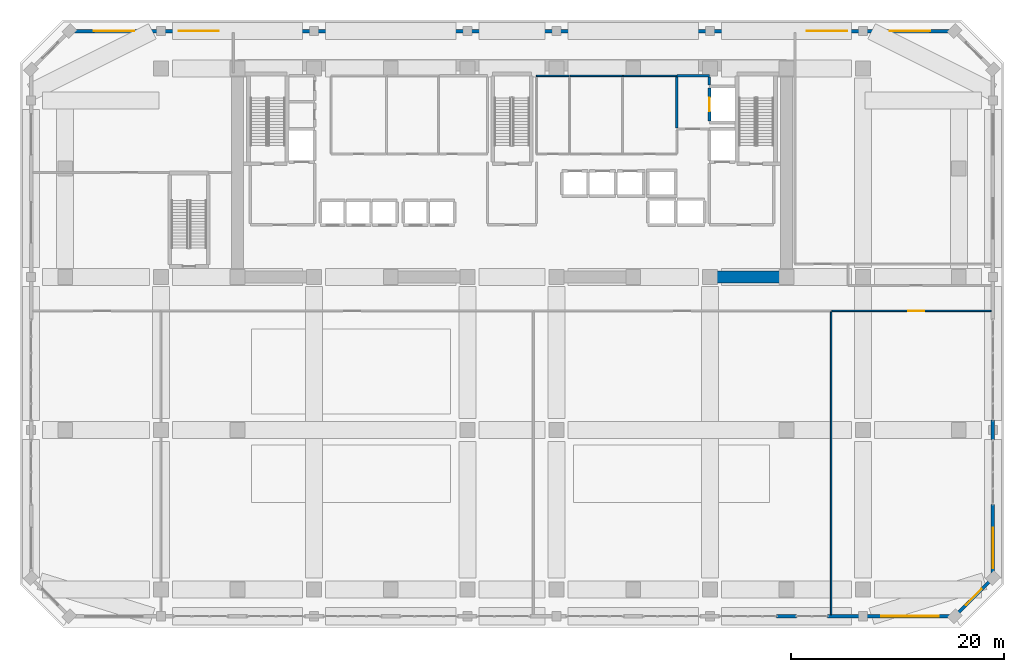
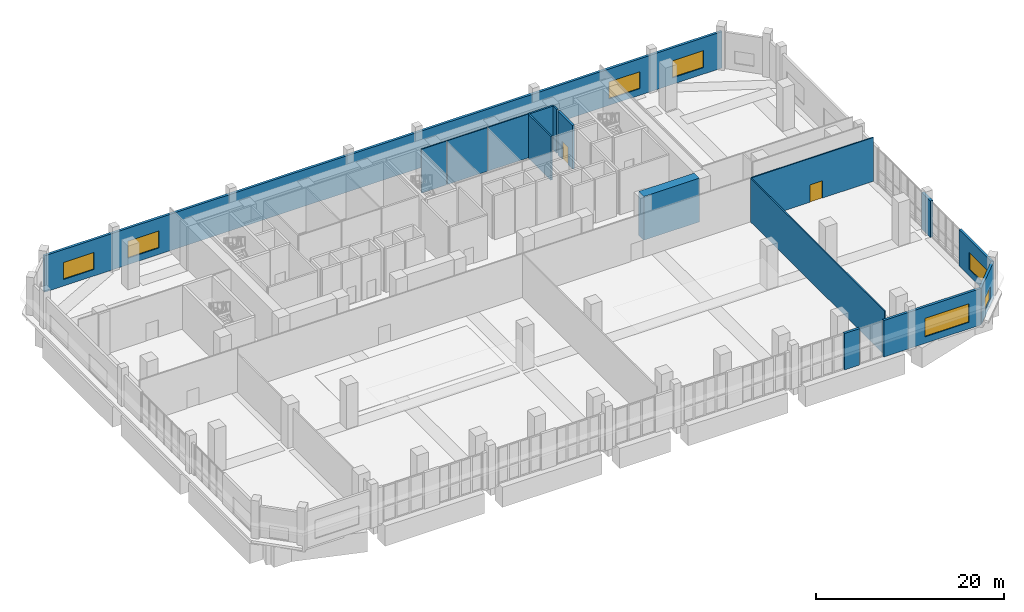
# One storey, part 20 of 25: 16 walls, 7 windows, 2 doors, 9 openings.
"""IFC4 building model written with IfcOpenShell, lengths in metres."""

from ifc_helpers import new_model, si_unit, direction, frame, frame_2d, origin, place, context, subcontext, project, spatial, rectangle, extrude, material, layer, layer_set, type_object, element, fill, save


model = new_model("IFC4")

# Units and contexts
model_context = context("Model", 3, precision=1e-05, world=origin(), true_north=direction((0.0, 1.0)))
body_context = subcontext(model_context, "Body", "Model", "MODEL_VIEW")
ifc_project = project(units=[si_unit("LENGTHUNIT", "METRE"), si_unit("AREAUNIT", "SQUARE_METRE"), si_unit("VOLUMEUNIT", "CUBIC_METRE"), si_unit("PLANEANGLEUNIT", "RADIAN"), si_unit("MASSUNIT", "GRAM", prefix="KILO")], contexts=[model_context])

# Site, building, storey
site_placement = place(None, origin())
site = spatial("IfcSite", under=ifc_project, at=site_placement, CompositionType="ELEMENT")
building_placement = place(site_placement, origin())
building = spatial("IfcBuilding", under=site, at=building_placement, Name="Kaelvorn Grand Hotel", CompositionType="ELEMENT")
storey_placement = place(building_placement, frame((0.0, 0.0, 8.0)))
storey = spatial("IfcBuildingStorey", under=building, at=storey_placement, Name="L01", CompositionType="ELEMENT", Elevation=8.0)

# Walls
ifc_material_1 = material(Name="Concrete C80/95", Category="concrete")
ifc_layer_1 = layer(ifc_material_1, 1.10009765625)
ifc_layer_set_1 = layer_set([ifc_layer_1], Name="Concrete C80/95")
wall_type_1 = type_object("IfcWallType", Name="WL-CORE-1100-C80", PredefinedType="SHEAR", material=ifc_layer_set_1)
wall_1_placement = place(storey_placement, frame((60.39990234375, 29.39990234375, 0.0), z_axis=(0.0, 0.0, 1.0), x_axis=(1.0, 0.0, 0.0)))
element("IfcWall", 1, at=wall_1_placement, inside=storey, type_object=wall_type_1, Name="L01 Rear-Core Coupled Shear Pier S4", PredefinedType="SHEAR", context=body_context, shape_type="SweptSolid", body=[
    extrude(rectangle(XDim=6.84521484375, YDim=1.10009765625, at=frame_2d((3.422607421875, 0.0))), origin(), (0.0, 0.0, 1.0), 5.679931640625),
])
ifc_material_2 = material(Name="Concrete C40/50", Category="concrete")
ifc_layer_2 = layer(ifc_material_2, 0.300048828125)
ifc_layer_set_2 = layer_set([ifc_layer_2], Name="Concrete C40/50")
wall_type_2 = type_object("IfcWallType", Name="WL-EXT-300-C40", PredefinedType="SOLIDWALL", material=ifc_layer_set_2)
wall_2_placement = place(storey_placement, frame((66.875, -2.5, 0.0), z_axis=(0.0, 0.0, 1.0), x_axis=(1.0, 0.0, 0.0)))
element("IfcWall", 2, at=wall_2_placement, inside=storey, type_object=wall_type_2, Name="L01 Exterior Architectural Concrete Wall 01 Pier 9", PredefinedType="SOLIDWALL", context=body_context, shape_type="SweptSolid", body=[
    extrude(rectangle(XDim=1.85009765625, YDim=0.300048828125, at=frame_2d((0.925048828125, 0.0))), origin(), (0.0, 0.0, 1.0), 4.72998046875),
])

# Wall, opening, window
wall_3_placement = place(storey_placement, frame((71.675048828125, -2.5, 0.0), z_axis=(0.0, 0.0, 1.0), x_axis=(1.0, 0.0, 0.0)))
wall_3 = element("IfcWall", 3, at=wall_3_placement, inside=storey, type_object=wall_type_2, Name="L01 Exterior Architectural Concrete Wall 01 Pier 10", PredefinedType="SOLIDWALL", context=body_context, shape_type="SweptSolid", body=[
    extrude(rectangle(XDim=11.925048828125, YDim=0.300048828125, at=frame_2d((5.96240234375, 0.0))), origin(), (0.0, 0.0, 1.0), 4.72998046875),
])
opening_1_placement = place(wall_3_placement, frame((5.050048828125, 0.0, 0.85009765625)))
opening_1 = element("IfcOpeningElement", 4, at=opening_1_placement, cuts=wall_3, Name="Opening W8", PredefinedType="OPENING", context=body_context, shape_type="SweptSolid", body=[
    extrude(rectangle(XDim=5.39990234375, YDim=2.39990234375, at=frame_2d((2.699951171875, 1.199951171875))), frame((0.0, 0.16015625, 0.0), z_axis=(0.0, -1.0, 0.0), x_axis=(1.0, 0.0, 0.0)), (0.0, 0.0, 1.0), 0.320068359375),
])
ifc_material_3 = material(Name="Laminated Low-E Glass", Category="glass")
window_type_1 = type_object("IfcWindowType", Name="WIN-POD-5400x2400", PartitioningType="SINGLE_PANEL", PredefinedType="WINDOW", material=ifc_material_3)
window_1_placement = place(opening_1_placement, origin())
window_1 = element("IfcWindow", 5, at=window_1_placement, inside=storey, type_object=window_type_1, Name="L01 Podium South Ribbon Window 1", OverallHeight=2.39990234375, OverallWidth=5.39990234375, PartitioningType="SINGLE_PANEL", PredefinedType="WINDOW", context=body_context, shape_type="SweptSolid", body=[
    extrude(rectangle(XDim=5.39990234375, YDim=2.39990234375, at=frame_2d((2.699951171875, 1.199951171875))), frame((0.0, 0.030029296875, 0.0), z_axis=(0.0, -1.0, 0.0), x_axis=(1.0, 0.0, 0.0)), (0.0, 0.0, 1.0), 0.06005859375),
])
fill(opening_1, window_1)

wall_4_placement = place(storey_placement, frame((83.60009765625, -2.5, 0.0), z_axis=(0.0, 0.0, 1.0), x_axis=(0.707082803744, 0.707130757816, 0.0)))
wall_4 = element("IfcWall", 6, at=wall_4_placement, inside=storey, type_object=wall_type_2, Name="L01 Exterior Architectural Concrete Wall 02", PredefinedType="SOLIDWALL", context=body_context, shape_type="SweptSolid", body=[
    extrude(rectangle(XDim=5.091064453125, YDim=0.300048828125, at=frame_2d((2.54541015625, 0.0))), origin(), (0.0, 0.0, 1.0), 4.72998046875),
])
opening_2_placement = place(wall_4_placement, frame((1.49560546875, 0.0, 0.85009765625)))
opening_2 = element("IfcOpeningElement", 7, at=opening_2_placement, cuts=wall_4, Name="Opening W7", PredefinedType="OPENING", context=body_context, shape_type="SweptSolid", body=[
    extrude(rectangle(XDim=2.10009765625, YDim=1.60009765625, at=frame_2d((1.050048828125, 0.800048828125))), frame((0.0, 0.16015625, 0.0), z_axis=(0.0, -1.0, 0.0), x_axis=(1.0, 0.0, 0.0)), (0.0, 0.0, 1.0), 0.320068359375),
])
window_type_2 = type_object("IfcWindowType", Name="WIN-CHM-2100x1600", PartitioningType="SINGLE_PANEL", PredefinedType="WINDOW", material=ifc_material_3)
window_2_placement = place(opening_2_placement, origin())
window_2 = element("IfcWindow", 8, at=window_2_placement, inside=storey, type_object=window_type_2, Name="L01 Chamfered 45-Degree Corner Window SE", OverallHeight=1.60009765625, OverallWidth=2.10009765625, PartitioningType="SINGLE_PANEL", PredefinedType="WINDOW", context=body_context, shape_type="SweptSolid", body=[
    extrude(rectangle(XDim=2.10009765625, YDim=1.60009765625, at=frame_2d((1.050048828125, 0.800048828125))), frame((0.0, 0.030029296875, 0.0), z_axis=(0.0, -1.0, 0.0), x_axis=(1.0, 0.0, 0.0)), (0.0, 0.0, 1.0), 0.06005859375),
])
fill(opening_2, window_2)

wall_5_placement = place(storey_placement, frame((87.199951171875, 1.10009765625, 0.0), z_axis=(0.0, 0.0, 1.0), x_axis=(0.0, 1.0, 0.0)))
wall_5 = element("IfcWall", 9, at=wall_5_placement, inside=storey, type_object=wall_type_2, Name="L01 Exterior Architectural Concrete Wall 03 Pier 1", PredefinedType="SOLIDWALL", context=body_context, shape_type="SweptSolid", body=[
    extrude(rectangle(XDim=6.90478515625, YDim=0.300048828125, at=frame_2d((3.452392578125, 0.0))), origin(), (0.0, 0.0, 1.0), 4.72998046875),
])
opening_3_placement = place(wall_5_placement, frame((0.925048828125, 0.0, 0.85009765625)))
opening_3 = element("IfcOpeningElement", 10, at=opening_3_placement, cuts=wall_5, Name="Opening W9", PredefinedType="OPENING", context=body_context, shape_type="SweptSolid", body=[
    extrude(rectangle(XDim=3.800048828125, YDim=2.199951171875, at=frame_2d((1.89990234375, 1.10009765625))), frame((0.0, 0.16015625, 0.0), z_axis=(0.0, -1.0, 0.0), x_axis=(1.0, 0.0, 0.0)), (0.0, 0.0, 1.0), 0.320068359375),
])
window_type_3 = type_object("IfcWindowType", Name="WIN-POD-3800x2200", PartitioningType="SINGLE_PANEL", PredefinedType="WINDOW", material=ifc_material_3)
window_3_placement = place(opening_3_placement, origin())
window_3 = element("IfcWindow", 11, at=window_3_placement, inside=storey, type_object=window_type_3, Name="L01 Podium E Ribbon Window 1", OverallHeight=2.199951171875, OverallWidth=3.800048828125, PartitioningType="SINGLE_PANEL", PredefinedType="WINDOW", context=body_context, shape_type="SweptSolid", body=[
    extrude(rectangle(XDim=3.800048828125, YDim=2.199951171875, at=frame_2d((1.89990234375, 1.10009765625))), frame((0.0, 0.030029296875, 0.0), z_axis=(0.0, -1.0, 0.0), x_axis=(1.0, 0.0, 0.0)), (0.0, 0.0, 1.0), 0.06005859375),
])
fill(opening_3, window_3)

# Wall
wall_6_placement = place(storey_placement, frame((87.199951171875, 14.074951171875, 0.0), z_axis=(0.0, 0.0, 1.0), x_axis=(0.0, 1.0, 0.0)))
element("IfcWall", 12, at=wall_6_placement, inside=storey, type_object=wall_type_2, Name="L01 Exterior Architectural Concrete Wall 03 Pier 2", PredefinedType="SOLIDWALL", context=body_context, shape_type="SweptSolid", body=[
    extrude(rectangle(XDim=1.85009765625, YDim=0.300048828125, at=frame_2d((0.925048828125, 0.0))), origin(), (0.0, 0.0, 1.0), 4.72998046875),
])

# Wall, openings, windows
wall_7_placement = place(storey_placement, frame((83.60009765625, 52.5, 0.0), z_axis=(0.0, 0.0, 1.0), x_axis=(-1.0, 0.0, 0.0)))
wall_7 = element("IfcWall", 13, at=wall_7_placement, inside=storey, type_object=wall_type_2, Name="L01 Exterior Architectural Concrete Wall 05", PredefinedType="SOLIDWALL", context=body_context, shape_type="SweptSolid", body=[
    extrude(rectangle(XDim=83.2001953125, YDim=0.300048828125, at=frame_2d((41.60009765625, 0.0))), origin(), (0.0, 0.0, 1.0), 4.72998046875),
])
opening_4_placement = place(wall_7_placement, frame((77.10009765625, 0.0, 0.85009765625)))
opening_4 = element("IfcOpeningElement", 14, at=opening_4_placement, cuts=wall_7, Name="Opening W9", PredefinedType="OPENING", context=body_context, shape_type="SweptSolid", body=[
    extrude(rectangle(XDim=3.800048828125, YDim=2.199951171875, at=frame_2d((1.89990234375, 1.10009765625))), frame((0.0, 0.16015625, 0.0), z_axis=(0.0, -1.0, 0.0), x_axis=(1.0, 0.0, 0.0)), (0.0, 0.0, 1.0), 0.320068359375),
])
opening_5_placement = place(wall_7_placement, frame((69.14990234375, 0.0, 0.85009765625)))
opening_5 = element("IfcOpeningElement", 15, at=opening_5_placement, cuts=wall_7, Name="Opening W9", PredefinedType="OPENING", context=body_context, shape_type="SweptSolid", body=[
    extrude(rectangle(XDim=3.800048828125, YDim=2.199951171875, at=frame_2d((1.89990234375, 1.10009765625))), frame((0.0, 0.16015625, 0.0), z_axis=(0.0, -1.0, 0.0), x_axis=(1.0, 0.0, 0.0)), (0.0, 0.0, 1.0), 0.320068359375),
])
opening_6_placement = place(wall_7_placement, frame((10.10009765625, 0.0, 0.85009765625)))
opening_6 = element("IfcOpeningElement", 16, at=opening_6_placement, cuts=wall_7, Name="Opening W9", PredefinedType="OPENING", context=body_context, shape_type="SweptSolid", body=[
    extrude(rectangle(XDim=3.800048828125, YDim=2.199951171875, at=frame_2d((1.89990234375, 1.10009765625))), frame((0.0, 0.16015625, 0.0), z_axis=(0.0, -1.0, 0.0), x_axis=(1.0, 0.0, 0.0)), (0.0, 0.0, 1.0), 0.320068359375),
])
opening_7_placement = place(wall_7_placement, frame((2.300048828125, 0.0, 0.85009765625)))
opening_7 = element("IfcOpeningElement", 17, at=opening_7_placement, cuts=wall_7, Name="Opening W9", PredefinedType="OPENING", context=body_context, shape_type="SweptSolid", body=[
    extrude(rectangle(XDim=3.800048828125, YDim=2.199951171875, at=frame_2d((1.89990234375, 1.10009765625))), frame((0.0, 0.16015625, 0.0), z_axis=(0.0, -1.0, 0.0), x_axis=(1.0, 0.0, 0.0)), (0.0, 0.0, 1.0), 0.320068359375),
])
window_4_placement = place(opening_4_placement, origin())
window_4 = element("IfcWindow", 18, at=window_4_placement, inside=storey, type_object=window_type_3, Name="L01 Podium NW Ribbon Window 1", OverallHeight=2.199951171875, OverallWidth=3.800048828125, PartitioningType="SINGLE_PANEL", PredefinedType="WINDOW", context=body_context, shape_type="SweptSolid", body=[
    extrude(rectangle(XDim=3.800048828125, YDim=2.199951171875, at=frame_2d((1.89990234375, 1.10009765625))), frame((0.0, 0.030029296875, 0.0), z_axis=(0.0, -1.0, 0.0), x_axis=(1.0, 0.0, 0.0)), (0.0, 0.0, 1.0), 0.06005859375),
])
fill(opening_4, window_4)
window_5_placement = place(opening_5_placement, origin())
window_5 = element("IfcWindow", 19, at=window_5_placement, inside=storey, type_object=window_type_3, Name="L01 Podium NW Ribbon Window 2", OverallHeight=2.199951171875, OverallWidth=3.800048828125, PartitioningType="SINGLE_PANEL", PredefinedType="WINDOW", context=body_context, shape_type="SweptSolid", body=[
    extrude(rectangle(XDim=3.800048828125, YDim=2.199951171875, at=frame_2d((1.89990234375, 1.10009765625))), frame((0.0, 0.030029296875, 0.0), z_axis=(0.0, -1.0, 0.0), x_axis=(1.0, 0.0, 0.0)), (0.0, 0.0, 1.0), 0.06005859375),
])
fill(opening_5, window_5)
window_6_placement = place(opening_6_placement, origin())
window_6 = element("IfcWindow", 20, at=window_6_placement, inside=storey, type_object=window_type_3, Name="L01 Podium NE Ribbon Window 1", OverallHeight=2.199951171875, OverallWidth=3.800048828125, PartitioningType="SINGLE_PANEL", PredefinedType="WINDOW", context=body_context, shape_type="SweptSolid", body=[
    extrude(rectangle(XDim=3.800048828125, YDim=2.199951171875, at=frame_2d((1.89990234375, 1.10009765625))), frame((0.0, 0.030029296875, 0.0), z_axis=(0.0, -1.0, 0.0), x_axis=(1.0, 0.0, 0.0)), (0.0, 0.0, 1.0), 0.06005859375),
])
fill(opening_6, window_6)
window_7_placement = place(opening_7_placement, origin())
window_7 = element("IfcWindow", 21, at=window_7_placement, inside=storey, type_object=window_type_3, Name="L01 Podium NE Ribbon Window 2", OverallHeight=2.199951171875, OverallWidth=3.800048828125, PartitioningType="SINGLE_PANEL", PredefinedType="WINDOW", context=body_context, shape_type="SweptSolid", body=[
    extrude(rectangle(XDim=3.800048828125, YDim=2.199951171875, at=frame_2d((1.89990234375, 1.10009765625))), frame((0.0, 0.030029296875, 0.0), z_axis=(0.0, -1.0, 0.0), x_axis=(1.0, 0.0, 0.0)), (0.0, 0.0, 1.0), 0.06005859375),
])
fill(opening_7, window_7)

# Walls
ifc_material_4 = material(Name="Moisture-Resistant Tile & Stud Board")
ifc_layer_3 = layer(ifc_material_4, 0.125)
ifc_layer_set_3 = layer_set([ifc_layer_3], Name="Moisture-Resistant Tile & Stud Board")
wall_type_3 = type_object("IfcWallType", Name="WL-PART-125-WET", PredefinedType="PARTITIONING", material=ifc_layer_set_3)
wall_8_placement = place(storey_placement, frame((44.300048828125, 48.300048828125, 0.0), z_axis=(0.0, 0.0, 1.0), x_axis=(1.0, 0.0, 0.0)))
element("IfcWall", 22, at=wall_8_placement, inside=storey, type_object=wall_type_3, Name="L01 Accessible WC N Partition", PredefinedType="PARTITIONING", context=body_context, shape_type="SweptSolid", body=[
    extrude(rectangle(XDim=3.099853515625, YDim=0.125, at=frame_2d((1.5498046875, 0.0))), origin(), (0.0, 0.0, 1.0), 5.679931640625),
])
wall_9_placement = place(storey_placement, frame((47.467529296875, 48.300048828125, 0.0), z_axis=(0.0, 0.0, 1.0), x_axis=(1.0, 0.0, 0.0)))
element("IfcWall", 23, at=wall_9_placement, inside=storey, type_object=wall_type_3, Name="L01 Male Staff & Guest Toilets N Partition", PredefinedType="PARTITIONING", context=body_context, shape_type="SweptSolid", body=[
    extrude(rectangle(XDim=4.932373046875, YDim=0.125, at=frame_2d((2.46630859375, 0.0))), origin(), (0.0, 0.0, 1.0), 5.679931640625),
])
wall_10_placement = place(storey_placement, frame((52.467529296875, 48.300048828125, 0.0), z_axis=(0.0, 0.0, 1.0), x_axis=(1.0, 0.0, 0.0)))
element("IfcWall", 24, at=wall_10_placement, inside=storey, type_object=wall_type_3, Name="L01 Female Staff & Guest Toilets N Partition", PredefinedType="PARTITIONING", context=body_context, shape_type="SweptSolid", body=[
    extrude(rectangle(XDim=5.0224609375, YDim=0.125, at=frame_2d((2.51123046875, 0.0))), origin(), (0.0, 0.0, 1.0), 5.679931640625),
])
ifc_material_5 = material(Name="Acoustic Gypsum & Stud Partition")
ifc_layer_4 = layer(ifc_material_5, 0.14990234375)
ifc_layer_set_4 = layer_set([ifc_layer_4], Name="Acoustic Gypsum & Stud Partition")
wall_type_4 = type_object("IfcWallType", Name="WL-PART-150-EI60", PredefinedType="PARTITIONING", material=ifc_layer_set_4)
wall_11_placement = place(storey_placement, frame((72.0, -2.344970703125, 0.0), z_axis=(0.0, 0.0, 1.0), x_axis=(0.0, 1.0, 0.0)))
element("IfcWall", 25, at=wall_11_placement, inside=storey, type_object=wall_type_4, Name="L01 Palm Court Lobby Lounge & Patisserie E Partition", PredefinedType="PARTITIONING", context=body_context, shape_type="SweptSolid", body=[
    extrude(rectangle(XDim=28.465087890625, YDim=0.14990234375, at=frame_2d((14.232421875, 0.0))), origin(), (0.0, 0.0, 1.0), 5.679931640625),
])

# Wall, opening, door
wall_12_placement = place(storey_placement, frame((72.080078125, 26.199951171875, 0.0), z_axis=(0.0, 0.0, 1.0), x_axis=(1.0, 0.0, 0.0)))
wall_12 = element("IfcWall", 26, at=wall_12_placement, inside=storey, type_object=wall_type_4, Name="L01 Hotel Executive Management Offices N Partition", PredefinedType="PARTITIONING", context=body_context, shape_type="SweptSolid", body=[
    extrude(rectangle(XDim=14.96484375, YDim=0.14990234375, at=frame_2d((7.482421875, 0.0))), origin(), (0.0, 0.0, 1.0), 5.679931640625),
])
opening_8_placement = place(wall_12_placement, frame((7.169921875, 0.0, 0.0)))
opening_8 = element("IfcOpeningElement", 27, at=opening_8_placement, cuts=wall_12, Name="Opening DI5", PredefinedType="OPENING", context=body_context, shape_type="SweptSolid", body=[
    extrude(rectangle(XDim=1.5, YDim=2.25, at=frame_2d((0.75, 1.125))), frame((0.0, 0.0849609375, 0.0), z_axis=(0.0, -1.0, 0.0), x_axis=(1.0, 0.0, 0.0)), (0.0, 0.0, 1.0), 0.169921875),
])
ifc_material_6 = material(Name="Timber Veneer Fire Leaf", Category="wood")
door_type_1 = type_object("IfcDoorType", Name="DR-INT-SALON-1500x2250", OperationType="DOUBLE_DOOR_SINGLE_SWING", PredefinedType="DOOR", material=ifc_material_6)
door_1_placement = place(opening_8_placement, origin())
door_1 = element("IfcDoor", 28, at=door_1_placement, inside=storey, type_object=door_type_1, Name="L01 Hotel Executive Management Offices Door", OperationType="DOUBLE_DOOR_SINGLE_SWING", OverallHeight=2.25, OverallWidth=1.5, PredefinedType="DOOR", context=body_context, shape_type="SweptSolid", body=[
    extrude(rectangle(XDim=1.5, YDim=2.25, at=frame_2d((0.75, 1.125))), frame((0.0, 0.02490234375, 0.0), z_axis=(0.0, -1.0, 0.0), x_axis=(1.0, 0.0, 0.0)), (0.0, 0.0, 1.0), 0.050048828125),
])
fill(opening_8, door_1)

# Walls
ifc_layer_5 = layer(ifc_material_2, 0.219970703125)
ifc_layer_set_5 = layer_set([ifc_layer_5], Name="Concrete C40/50")
wall_type_5 = type_object("IfcWallType", Name="WL-PART-220-EI120", PredefinedType="PARTITIONING", material=ifc_layer_set_5)
wall_13_placement = place(storey_placement, frame((57.5, 48.300048828125, 0.0), z_axis=(0.0, 0.0, 1.0), x_axis=(1.0, 0.0, 0.0)))
element("IfcWall", 29, at=wall_13_placement, inside=storey, type_object=wall_type_5, Name="L01 Service Lift Lobby N Partition", PredefinedType="PARTITIONING", context=body_context, shape_type="SweptSolid", body=[
    extrude(rectangle(XDim=3.050048828125, YDim=0.219970703125, at=frame_2d((1.52490234375, 0.0))), origin(), (0.0, 0.0, 1.0), 5.679931640625),
])
wall_14_placement = place(storey_placement, frame((57.5, 43.4150390625, 0.0), z_axis=(0.0, 0.0, 1.0), x_axis=(0.0, 1.0, 0.0)))
element("IfcWall", 30, at=wall_14_placement, inside=storey, type_object=wall_type_5, Name="L01 Service Lift Lobby W Partition", PredefinedType="PARTITIONING", context=body_context, shape_type="SweptSolid", body=[
    extrude(rectangle(XDim=4.77001953125, YDim=0.219970703125, at=frame_2d((2.385009765625, 0.0))), origin(), (0.0, 0.0, 1.0), 5.679931640625),
])
wall_15_placement = place(storey_placement, frame((60.550048828125, 47.445068359375, 0.0), z_axis=(0.0, 0.0, 1.0), x_axis=(0.0, 1.0, 0.0)))
element("IfcWall", 31, at=wall_15_placement, inside=storey, type_object=wall_type_5, Name="L01 Service Lift Lobby E Partition", PredefinedType="PARTITIONING", context=body_context, shape_type="SweptSolid", body=[
    extrude(rectangle(XDim=0.739990234375, YDim=0.219970703125, at=frame_2d((0.3701171875, 0.0))), origin(), (0.0, 0.0, 1.0), 5.679931640625),
])

# Wall, opening, door
ifc_material_7 = material(Name="Concrete C50/60", Category="concrete")
ifc_layer_6 = layer(ifc_material_7, 0.280029296875)
ifc_layer_set_6 = layer_set([ifc_layer_6], Name="Concrete C50/60")
wall_type_6 = type_object("IfcWallType", Name="WL-SHAFT-280-C50", PredefinedType="SHEAR", material=ifc_layer_set_6)
wall_16_placement = place(storey_placement, frame((60.550048828125, 44.044921875, 0.0), z_axis=(0.0, 0.0, 1.0), x_axis=(0.0, 1.0, 0.0)))
wall_16 = element("IfcWall", 32, at=wall_16_placement, inside=storey, type_object=wall_type_6, Name="L01 Lift SV1 Shaft West Wall", PredefinedType="SHEAR", context=body_context, shape_type="SweptSolid", body=[
    extrude(rectangle(XDim=3.110107421875, YDim=0.280029296875, at=frame_2d((1.55517578125, 0.0))), origin(), (0.0, 0.0, 1.0), 5.679931640625),
])
opening_9_placement = place(wall_16_placement, frame((0.905029296875, 0.0, 0.0)))
opening_9 = element("IfcOpeningElement", 33, at=opening_9_placement, cuts=wall_16, Name="Opening LD-SV1", PredefinedType="OPENING", context=body_context, shape_type="SweptSolid", body=[
    extrude(rectangle(XDim=1.300048828125, YDim=2.300048828125, at=frame_2d((0.64990234375, 1.14990234375))), frame((0.0, 0.14990234375, 0.0), z_axis=(0.0, -1.0, 0.0), x_axis=(1.0, 0.0, 0.0)), (0.0, 0.0, 1.0), 0.300048828125),
])
ifc_material_8 = material(Name="Stainless Steel", Category="steel")
door_type_2 = type_object("IfcDoorType", Name="DR-LIFT-SERV-1300x2300", OperationType="DOUBLE_DOOR_SLIDING", PredefinedType="DOOR", material=ifc_material_8)
door_2_placement = place(opening_9_placement, origin())
door_2 = element("IfcDoor", 34, at=door_2_placement, inside=storey, type_object=door_type_2, Name="L01 Lift SV1 Sliding Landing Door LD-SV1", OperationType="DOUBLE_DOOR_SLIDING", OverallHeight=2.300048828125, OverallWidth=1.300048828125, PredefinedType="DOOR", context=body_context, shape_type="SweptSolid", body=[
    extrude(rectangle(XDim=1.300048828125, YDim=2.300048828125, at=frame_2d((0.64990234375, 1.14990234375))), frame((0.0, 0.02490234375, 0.0), z_axis=(0.0, -1.0, 0.0), x_axis=(1.0, 0.0, 0.0)), (0.0, 0.0, 1.0), 0.050048828125),
])
fill(opening_9, door_2)

save(model, "model.ifc")
